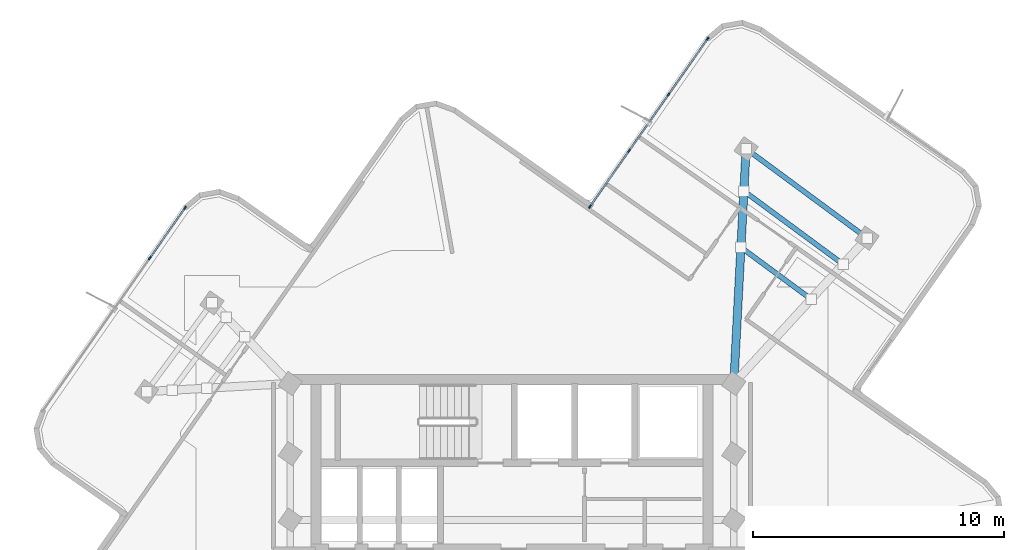
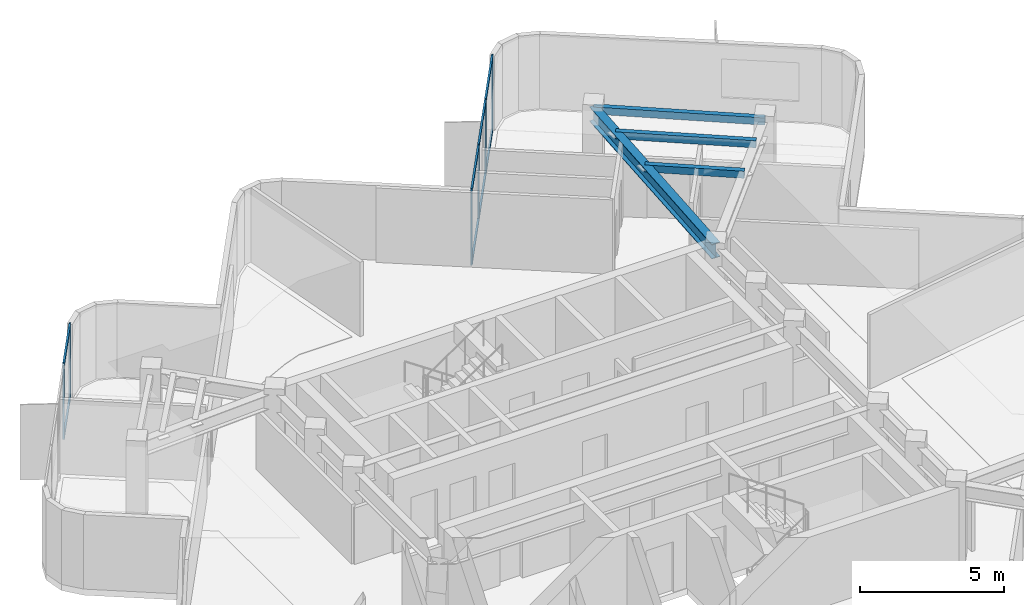
# One storey, part 4 of 9: 14 members, 4 beams, 2 elements without a shape of their own.
"""IFC4 building model written with IfcOpenShell, lengths in metres."""

from ifc_helpers import new_model, si_unit, direction, frame, origin, origin_2d, place, context, subcontext, project, spatial, rectangle, hollow_rectangle, i_section, extrude, material, layer, layer_set, material_profile, profile_set, type_object, element, aggregate, save


model = new_model("IFC4")

# Units and contexts
model_context = context("Model", 3, precision=1e-05, world=origin(), true_north=direction((0.0, 1.0)))
body_context = subcontext(model_context, "Body", "Model", "MODEL_VIEW")
ifc_project = project(units=[si_unit("LENGTHUNIT", "METRE"), si_unit("AREAUNIT", "SQUARE_METRE"), si_unit("VOLUMEUNIT", "CUBIC_METRE"), si_unit("PLANEANGLEUNIT", "RADIAN"), si_unit("MASSUNIT", "GRAM", prefix="KILO")], contexts=[model_context])

# Site, building, storey
site_placement = place(None, origin())
site = spatial("IfcSite", under=ifc_project, at=site_placement, CompositionType="ELEMENT")
building_placement = place(site_placement, origin())
building = spatial("IfcBuilding", under=site, at=building_placement, Name="Solmarez Civic Tower", CompositionType="ELEMENT")
storey_placement = place(building_placement, frame((0.0, 0.0, 268.02001953125)))
storey = spatial("IfcBuildingStorey", under=building, at=storey_placement, Name="L72", CompositionType="ELEMENT", Elevation=268.02001953125)

# Beams
ifc_material_1 = material(Name="Steel S355", Category="steel")
ifc_material_profile_1 = material_profile(ifc_material_1, hollow_rectangle(XDim=0.199951171875, YDim=0.300048828125, WallThickness=0.011962890625, at=origin_2d()), Name="HSS300X200X12")
ifc_profile_set_1 = profile_set([ifc_material_profile_1], Name="Steel S355")
beam_type_1 = type_object("IfcBeamType", Name="BM-JS-HSS300X200", PredefinedType="JOIST", material=ifc_profile_set_1)
beam_1_placement = place(storey_placement, frame((14.1689453125, 14.152099609375, 3.010009765625), z_axis=(-0.804687480311, 0.593698626434, 0.0), x_axis=(-0.593698626434, -0.804687480311, 0.0)))
element("IfcBeam", 1, at=beam_1_placement, inside=storey, type_object=beam_type_1, Name="L72 Secondary Floor Joist BM-L72-EA-T1", PredefinedType="JOIST", context=body_context, shape_type="SweptSolid", body=[
    extrude(hollow_rectangle(XDim=0.199951171875, YDim=0.300048828125, WallThickness=0.011962890625, at=origin_2d()), origin(), (0.0, 0.0, 1.0), 5.999755859375),
])
beam_2_placement = place(storey_placement, frame((11.93505859375, 11.715087890625, 3.010009765625), z_axis=(-0.8046818189, 0.593706299724, 0.0), x_axis=(-0.593706299724, -0.8046818189, 0.0)))
element("IfcBeam", 2, at=beam_2_placement, inside=storey, type_object=beam_type_1, Name="L72 Secondary Floor Joist JS-L72-EA-M11", PredefinedType="JOIST", context=body_context, shape_type="SweptSolid", body=[
    extrude(hollow_rectangle(XDim=0.199951171875, YDim=0.300048828125, WallThickness=0.011962890625, at=origin_2d()), origin(), (0.0, 0.0, 1.0), 3.479736328125),
])
beam_3_placement = place(storey_placement, frame((13.2119140625, 13.10791015625, 3.010009765625), z_axis=(-0.804762606031, 0.593596789019, 0.0), x_axis=(-0.593596789019, -0.804762606031, 0.0)))
element("IfcBeam", 3, at=beam_3_placement, inside=storey, type_object=beam_type_1, Name="L72 Secondary Floor Joist JS-L72-EA-M12", PredefinedType="JOIST", context=body_context, shape_type="SweptSolid", body=[
    extrude(hollow_rectangle(XDim=0.199951171875, YDim=0.300048828125, WallThickness=0.011962890625, at=origin_2d()), origin(), (0.0, 0.0, 1.0), 4.91943359375),
])
ifc_material_profile_2 = material_profile(ifc_material_1, i_section(OverallWidth=0.327880859375, OverallDepth=0.6220703125, WebThickness=0.015380859375, FlangeThickness=0.0244140625, at=origin_2d()), Name="W24X131")
ifc_profile_set_2 = profile_set([ifc_material_profile_2], Name="Steel S355")
beam_type_2 = type_object("IfcBeamType", Name="BM-PR-W24X131", PredefinedType="BEAM", material=ifc_profile_set_2)
beam_4_placement = place(storey_placement, frame((8.85009765625, 8.35009765625, 2.848876953125), z_axis=(0.052359315135, 0.998628310293, 0.0), x_axis=(-0.998628310293, 0.052359315135, 0.0)))
element("IfcBeam", 4, at=beam_4_placement, inside=storey, type_object=beam_type_2, Name="L72 Primary Floor Beam BM-L72-EA-R1B", PredefinedType="BEAM", context=body_context, shape_type="SweptSolid", body=[
    extrude(i_section(OverallWidth=0.327880859375, OverallDepth=0.6220703125, WebThickness=0.015380859375, FlangeThickness=0.0244140625, at=origin_2d()), origin(), (0.0, 0.0, 1.0), 9.376953125),
])

# Curtain wall, members
ifc_material_2 = material(Name="Bronze Anodised Aluminium EN AW-6063 T6", Category="aluminium")
ifc_layer = layer(ifc_material_2, 0.1650390625)
ifc_layer_set = layer_set([ifc_layer], Name="Bronze Anodised Aluminium EN AW-6063 T6")
curtain_wall_type = type_object("IfcCurtainWallType", Name="CW-SYS-4", PredefinedType="NOTDEFINED", material=ifc_layer_set)
curtain_wall_1_placement = place(storey_placement, origin())
curtain_wall_1 = element("IfcCurtainWall", 5, at=curtain_wall_1_placement, inside=storey, type_object=curtain_wall_type, Name="L72 Stick-Built Curtain Wall 1", PredefinedType="NOTDEFINED")
ifc_material_profile_3 = material_profile(ifc_material_2, rectangle(XDim=0.06005859375, YDim=0.14990234375, at=origin_2d()), Name="CWM-60X150")
ifc_profile_set_3 = profile_set([ifc_material_profile_3], Name="Bronze Anodised Aluminium EN AW-6063 T6")
member_type_1 = type_object("IfcMemberType", Name="CWM-TYPE-4", PredefinedType="MULLION", material=ifc_profile_set_3)
member_1_placement = place(storey_placement, frame((-14.455322265625, 13.35009765625, 0.0), z_axis=(0.0, 0.0, 1.0), x_axis=(-0.818748690603, 0.574152054456, 0.0)))
member_1 = element("IfcMember", 6, at=member_1_placement, type_object=member_type_1, Name="CWS4 mullion 4", PredefinedType="MULLION", context=body_context, shape_type="SweptSolid", body=[
    extrude(rectangle(XDim=0.06005859375, YDim=0.14990234375, at=origin_2d()), origin(), (0.0, 0.0, 1.0), 3.159912109375),
])
member_2_placement = place(storey_placement, frame((-13.04833984375, 15.3564453125, 0.0), z_axis=(0.0, 0.0, 1.0), x_axis=(-0.818748690603, 0.574152054456, 0.0)))
member_2 = element("IfcMember", 7, at=member_2_placement, type_object=member_type_1, Name="CWS4 mullion 5", PredefinedType="MULLION", context=body_context, shape_type="SweptSolid", body=[
    extrude(rectangle(XDim=0.06005859375, YDim=0.14990234375, at=origin_2d()), origin(), (0.0, 0.0, 1.0), 3.159912109375),
])

curtain_wall_2_placement = place(storey_placement, origin())
curtain_wall_2 = element("IfcCurtainWall", 8, at=curtain_wall_2_placement, inside=storey, type_object=curtain_wall_type, Name="L72 Stick-Built Curtain Wall 2", PredefinedType="NOTDEFINED")
member_3_placement = place(storey_placement, frame((3.109130859375, 15.407470703125, 0.0), z_axis=(0.0, 0.0, 1.0), x_axis=(-0.818712816278, 0.574203208335, 0.0)))
member_3 = element("IfcMember", 9, at=member_3_placement, type_object=member_type_1, Name="CWS4 mullion 1", PredefinedType="MULLION", context=body_context, shape_type="SweptSolid", body=[
    extrude(rectangle(XDim=0.06005859375, YDim=0.14990234375, at=origin_2d()), origin(), (0.0, 0.0, 1.0), 3.159912109375),
])
member_4_placement = place(storey_placement, frame((4.66943359375, 17.632080078125, 0.0), z_axis=(0.0, 0.0, 1.0), x_axis=(-0.818712816278, 0.574203208335, 0.0)))
member_4 = element("IfcMember", 10, at=member_4_placement, type_object=member_type_1, Name="CWS4 mullion 2", PredefinedType="MULLION", context=body_context, shape_type="SweptSolid", body=[
    extrude(rectangle(XDim=0.06005859375, YDim=0.14990234375, at=origin_2d()), origin(), (0.0, 0.0, 1.0), 3.159912109375),
])
member_5_placement = place(storey_placement, frame((6.24658203125, 19.881103515625, 0.0), z_axis=(0.0, 0.0, 1.0), x_axis=(-0.818712816278, 0.574203208335, 0.0)))
member_5 = element("IfcMember", 11, at=member_5_placement, type_object=member_type_1, Name="CWS4 mullion 3", PredefinedType="MULLION", context=body_context, shape_type="SweptSolid", body=[
    extrude(rectangle(XDim=0.06005859375, YDim=0.14990234375, at=origin_2d()), origin(), (0.0, 0.0, 1.0), 3.159912109375),
])
member_6_placement = place(storey_placement, frame((7.806884765625, 22.10546875, 0.0), z_axis=(0.0, 0.0, 1.0), x_axis=(-0.818712816278, 0.574203208335, 0.0)))
member_6 = element("IfcMember", 12, at=member_6_placement, type_object=member_type_1, Name="CWS4 mullion 4", PredefinedType="MULLION", context=body_context, shape_type="SweptSolid", body=[
    extrude(rectangle(XDim=0.06005859375, YDim=0.14990234375, at=origin_2d()), origin(), (0.0, 0.0, 1.0), 3.159912109375),
])

# Member
ifc_material_profile_4 = material_profile(ifc_material_2, rectangle(XDim=0.070068359375, YDim=0.139892578125, at=origin_2d()), Name="CWT-70X140")
ifc_profile_set_4 = profile_set([ifc_material_profile_4], Name="Bronze Anodised Aluminium EN AW-6063 T6")
member_type_2 = type_object("IfcMemberType", Name="CWT-TYPE-1", PredefinedType="USERDEFINED", material=ifc_profile_set_4)
member_7_placement = place(storey_placement, frame((-14.43798828125, 13.37451171875, 0.034912109375), z_axis=(0.574154405563, 0.818747041871, 0.0), x_axis=(-0.818747041871, 0.574154405563, 0.0)))
member_7 = element("IfcMember", 13, at=member_7_placement, type_object=member_type_2, Name="CWS4 transom 4.1", ObjectType="TRANSOM", PredefinedType="USERDEFINED", context=body_context, shape_type="SweptSolid", body=[
    extrude(rectangle(XDim=0.070068359375, YDim=0.139892578125, at=origin_2d()), origin(), (0.0, 0.0, 1.0), 2.390625),
])

member_8_placement = place(storey_placement, frame((-14.43798828125, 13.37451171875, 3.125), z_axis=(0.574154405563, 0.818747041871, 0.0), x_axis=(-0.818747041871, 0.574154405563, 0.0)))
member_8 = element("IfcMember", 14, at=member_8_placement, type_object=member_type_2, Name="CWS4 transom 4.2", ObjectType="TRANSOM", PredefinedType="USERDEFINED", context=body_context, shape_type="SweptSolid", body=[
    extrude(rectangle(XDim=0.070068359375, YDim=0.139892578125, at=origin_2d()), origin(), (0.0, 0.0, 1.0), 2.390625),
])

aggregate(curtain_wall_1, [member_1, member_2, member_7, member_8])

member_9_placement = place(storey_placement, frame((3.12646484375, 15.43212890625, 0.034912109375), z_axis=(0.574202140281, 0.818713565355, 0.0), x_axis=(-0.818713565355, 0.574202140281, 0.0)))
member_9 = element("IfcMember", 15, at=member_9_placement, type_object=member_type_2, Name="CWS4 transom 1.1", ObjectType="TRANSOM", PredefinedType="USERDEFINED", context=body_context, shape_type="SweptSolid", body=[
    extrude(rectangle(XDim=0.070068359375, YDim=0.139892578125, at=origin_2d()), origin(), (0.0, 0.0, 1.0), 2.656982421875),
])

member_10_placement = place(storey_placement, frame((3.12646484375, 15.43212890625, 3.125), z_axis=(0.574202140281, 0.818713565355, 0.0), x_axis=(-0.818713565355, 0.574202140281, 0.0)))
member_10 = element("IfcMember", 16, at=member_10_placement, type_object=member_type_2, Name="CWS4 transom 1.2", ObjectType="TRANSOM", PredefinedType="USERDEFINED", context=body_context, shape_type="SweptSolid", body=[
    extrude(rectangle(XDim=0.070068359375, YDim=0.139892578125, at=origin_2d()), origin(), (0.0, 0.0, 1.0), 2.656982421875),
])

member_11_placement = place(storey_placement, frame((4.6865234375, 17.656494140625, 0.034912109375), z_axis=(0.574212126243, 0.818706561642, 0.0), x_axis=(-0.818706561642, 0.574212126243, 0.0)))
member_11 = element("IfcMember", 17, at=member_11_placement, type_object=member_type_2, Name="CWS4 transom 2.1", ObjectType="TRANSOM", PredefinedType="USERDEFINED", context=body_context, shape_type="SweptSolid", body=[
    extrude(rectangle(XDim=0.070068359375, YDim=0.139892578125, at=origin_2d()), origin(), (0.0, 0.0, 1.0), 2.68701171875),
])

member_12_placement = place(storey_placement, frame((4.6865234375, 17.656494140625, 3.125), z_axis=(0.574212126243, 0.818706561642, 0.0), x_axis=(-0.818706561642, 0.574212126243, 0.0)))
member_12 = element("IfcMember", 18, at=member_12_placement, type_object=member_type_2, Name="CWS4 transom 2.2", ObjectType="TRANSOM", PredefinedType="USERDEFINED", context=body_context, shape_type="SweptSolid", body=[
    extrude(rectangle(XDim=0.070068359375, YDim=0.139892578125, at=origin_2d()), origin(), (0.0, 0.0, 1.0), 2.68701171875),
])

member_13_placement = place(storey_placement, frame((6.263916015625, 19.905517578125, 0.034912109375), z_axis=(0.574202140281, 0.818713565355, 0.0), x_axis=(-0.818713565355, 0.574202140281, 0.0)))
member_13 = element("IfcMember", 19, at=member_13_placement, type_object=member_type_2, Name="CWS4 transom 3.1", ObjectType="TRANSOM", PredefinedType="USERDEFINED", context=body_context, shape_type="SweptSolid", body=[
    extrude(rectangle(XDim=0.070068359375, YDim=0.139892578125, at=origin_2d()), origin(), (0.0, 0.0, 1.0), 2.656982421875),
])

member_14_placement = place(storey_placement, frame((6.263916015625, 19.905517578125, 3.125), z_axis=(0.574202140281, 0.818713565355, 0.0), x_axis=(-0.818713565355, 0.574202140281, 0.0)))
member_14 = element("IfcMember", 20, at=member_14_placement, type_object=member_type_2, Name="CWS4 transom 3.2", ObjectType="TRANSOM", PredefinedType="USERDEFINED", context=body_context, shape_type="SweptSolid", body=[
    extrude(rectangle(XDim=0.070068359375, YDim=0.139892578125, at=origin_2d()), origin(), (0.0, 0.0, 1.0), 2.656982421875),
])

aggregate(curtain_wall_2, [member_3, member_4, member_5, member_6, member_9, member_10, member_11, member_12, member_13, member_14])

save(model, "model.ifc")
